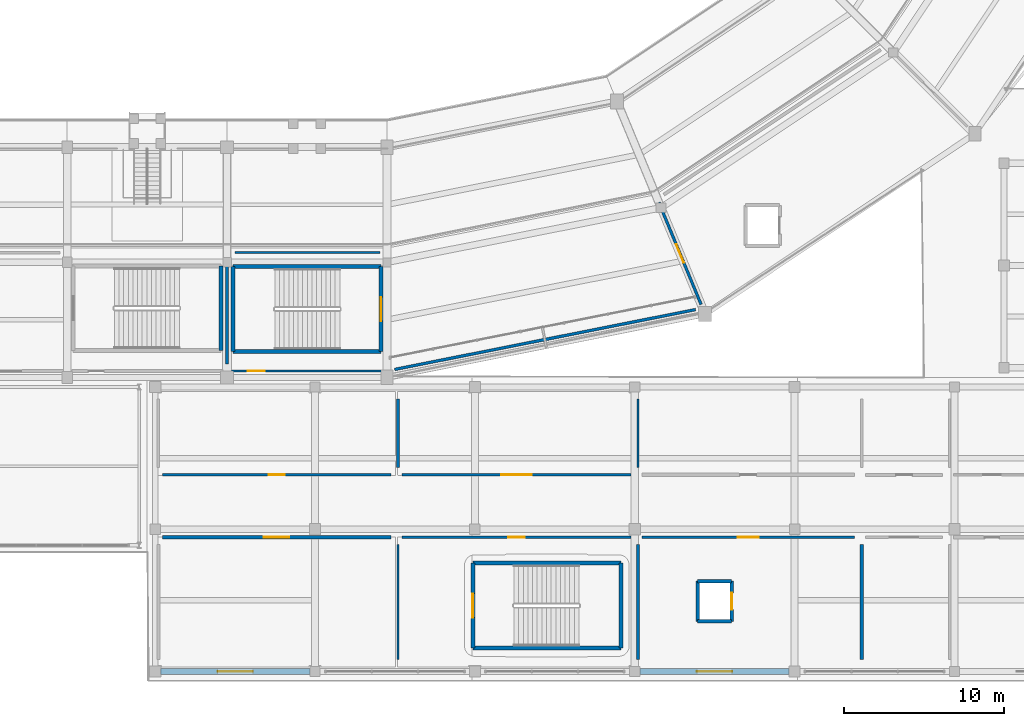
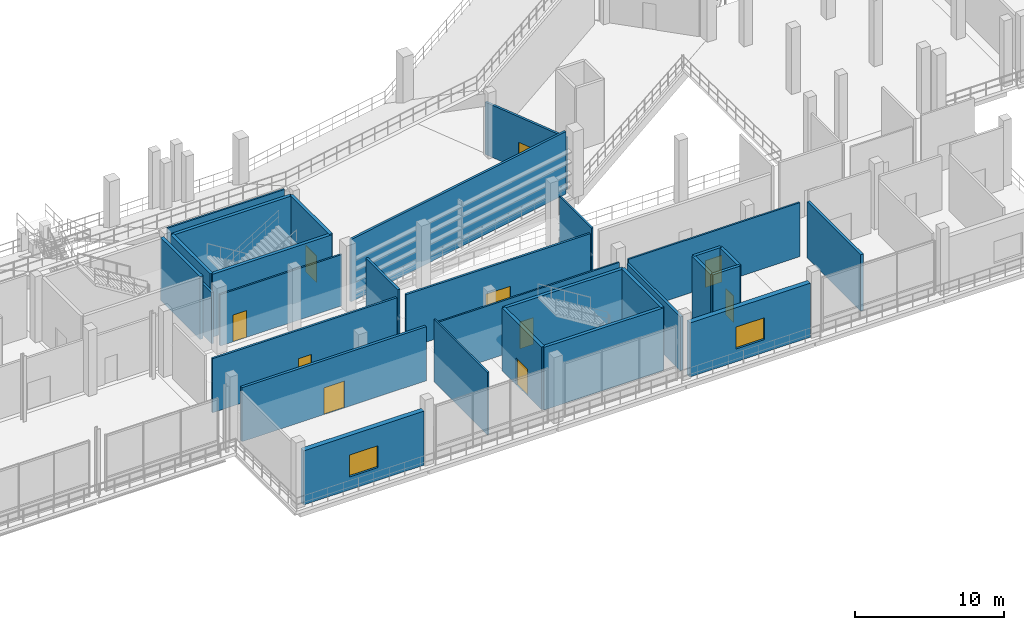
# One storey, part 78 of 127: 30 walls, 10 doors, 2 windows, 12 openings.
"""IFC4 building model written with IfcOpenShell, lengths in metres."""

from ifc_helpers import new_model, si_unit, direction, frame, frame_2d, origin, place, context, subcontext, project, spatial, rectangle, extrude, material, layer, layer_set, type_object, element, fill, save


model = new_model("IFC4")

# Units and contexts
model_context = context("Model", 3, precision=1e-05, world=origin(), true_north=direction((0.0, 1.0)))
body_context = subcontext(model_context, "Body", "Model", "MODEL_VIEW")
ifc_project = project(units=[si_unit("LENGTHUNIT", "METRE"), si_unit("AREAUNIT", "SQUARE_METRE"), si_unit("VOLUMEUNIT", "CUBIC_METRE"), si_unit("PLANEANGLEUNIT", "RADIAN"), si_unit("MASSUNIT", "GRAM", prefix="KILO")], contexts=[model_context])

# Site, building, storey
site_placement = place(None, origin())
site = spatial("IfcSite", under=ifc_project, at=site_placement, CompositionType="ELEMENT")
building_placement = place(site_placement, origin())
building = spatial("IfcBuilding", under=site, at=building_placement, Name="Candeia Ridge Stadium", CompositionType="ELEMENT")
storey_placement = place(building_placement, frame((0.0, 0.0, 10.800048828125)))
storey = spatial("IfcBuildingStorey", under=building, at=storey_placement, Name="L02", CompositionType="ELEMENT", Elevation=10.800048828125)

# Wall, opening, door
ifc_material_1 = material(Name="Gypsum Acoustic Twin-Stud Assembly", Category="gypsum")
ifc_layer_1 = layer(ifc_material_1, 0.159912109375, Name="Gypsum Acoustic Twin-Stud Assembly", Category="gypsum")
ifc_layer_set_1 = layer_set([ifc_layer_1], Name="Gypsum Acoustic Twin-Stud Assembly")
wall_type_1 = type_object("IfcWallType", Name="Club Dining Acoustic Partition 160", PredefinedType="PARTITIONING", material=ifc_layer_set_1)
wall_1_placement = place(storey_placement, frame((141.25, 12.89990234375, 0.0), z_axis=(0.0, 0.0, 1.0), x_axis=(-1.0, 0.0, 0.0)))
wall_1 = element("IfcWall", 1, at=wall_1_placement, inside=storey, type_object=wall_type_1, Name="Interior partition PT-L02-0397", PredefinedType="PARTITIONING", context=body_context, shape_type="SweptSolid", body=[
    extrude(rectangle(XDim=14.300048828125, YDim=0.159912109375, at=frame_2d((7.14990234375, 0.0))), origin(), (0.0, 0.0, 1.0), 4.43505859375),
])
opening_1_placement = place(wall_1_placement, frame((6.64990234375, 0.0, 0.0)))
opening_1 = element("IfcOpeningElement", 2, at=opening_1_placement, cuts=wall_1, Name="Opening ID06", PredefinedType="OPENING", context=body_context, shape_type="SweptSolid", body=[
    extrude(rectangle(XDim=1.0, YDim=2.10009765625, at=frame_2d((0.5, 1.050048828125))), frame((0.0, 0.08984375, 0.0), z_axis=(0.0, -1.0, 0.0), x_axis=(1.0, 0.0, 0.0)), (0.0, 0.0, 1.0), 0.179931640625),
])
ifc_material_2 = material(Name="Moisture-Resistant Laminate", Category="wood")
door_type_1 = type_object("IfcDoorType", Name="Accessible Sanitary Door 1000x2100", OperationType="NOTDEFINED", PredefinedType="DOOR", material=ifc_material_2)
door_1_placement = place(opening_1_placement, origin())
door_1 = element("IfcDoor", 3, at=door_1_placement, inside=storey, type_object=door_type_1, Name="Interior room door D-L02-0206", OperationType="SINGLE_SWING_RIGHT", OverallHeight=2.10009765625, OverallWidth=1.0, PredefinedType="DOOR", context=body_context, shape_type="SweptSolid", body=[
    extrude(rectangle(XDim=1.0, YDim=2.10009765625, at=frame_2d((0.5, 1.050048828125))), frame((0.0, 0.02490234375, 0.0), z_axis=(0.0, -1.0, 0.0), x_axis=(1.0, 0.0, 0.0)), (0.0, 0.0, 1.0), 0.050048828125),
])
fill(opening_1, door_1)

# Walls
ifc_material_3 = material(Name="Concrete C40/50", Category="concrete")
ifc_layer_2 = layer(ifc_material_3, 0.25, Name="Concrete C40/50", Category="concrete")
ifc_layer_set_2 = layer_set([ifc_layer_2], Name="Concrete C40/50")
wall_type_2 = type_object("IfcWallType", Name="Core Shear Wall Concrete 250", PredefinedType="SHEAR", material=ifc_layer_set_2)
wall_2_placement = place(storey_placement, frame((140.62451171875, 25.924560546875, 0.0), z_axis=(0.0, 0.0, 1.0), x_axis=(-1.0, 0.0, 0.0)))
element("IfcWall", 4, at=wall_2_placement, inside=storey, type_object=wall_type_2, Name="Core C03 left shear wall L02", PredefinedType="SHEAR", context=body_context, shape_type="SweptSolid", body=[
    extrude(rectangle(XDim=9.2490234375, YDim=0.25, at=frame_2d((4.62451171875, 0.0))), origin(), (0.0, 0.0, 1.0), 5.14990234375),
])
wall_3_placement = place(storey_placement, frame((131.37548828125, 25.924560546875, 0.0), z_axis=(0.0, 0.0, 1.0), x_axis=(0.0, -1.0, 0.0)))
element("IfcWall", 5, at=wall_3_placement, inside=storey, type_object=wall_type_2, Name="Core C03 far shear wall L02", PredefinedType="SHEAR", context=body_context, shape_type="SweptSolid", body=[
    extrude(rectangle(XDim=5.299072265625, YDim=0.25, at=frame_2d((2.6494140625, 0.0))), origin(), (0.0, 0.0, 1.0), 5.14990234375),
])
wall_4_placement = place(storey_placement, frame((131.37548828125, 20.62548828125, 0.0), z_axis=(0.0, 0.0, 1.0), x_axis=(1.0, 0.0, 0.0)))
element("IfcWall", 6, at=wall_4_placement, inside=storey, type_object=wall_type_2, Name="Core C03 right shear wall L02", PredefinedType="SHEAR", context=body_context, shape_type="SweptSolid", body=[
    extrude(rectangle(XDim=9.2490234375, YDim=0.25, at=frame_2d((4.62451171875, 0.0))), origin(), (0.0, 0.0, 1.0), 5.14990234375),
])

# Wall, opening, door
wall_5_placement = place(storey_placement, frame((140.62451171875, 20.62548828125, 0.0), z_axis=(0.0, 0.0, 1.0), x_axis=(0.0, 1.0, 0.0)))
wall_5 = element("IfcWall", 7, at=wall_5_placement, inside=storey, type_object=wall_type_2, Name="Core C03 near shear wall L02", PredefinedType="SHEAR", context=body_context, shape_type="SweptSolid", body=[
    extrude(rectangle(XDim=5.299072265625, YDim=0.25, at=frame_2d((2.6494140625, 0.0))), origin(), (0.0, 0.0, 1.0), 5.14990234375),
])
opening_2_placement = place(wall_5_placement, frame((1.899658203125, 0.0, 0.0)))
opening_2 = element("IfcOpeningElement", 8, at=opening_2_placement, cuts=wall_5, Name="Opening FD01", PredefinedType="OPENING", context=body_context, shape_type="SweptSolid", body=[
    extrude(rectangle(XDim=1.5, YDim=2.199951171875, at=frame_2d((0.75, 1.10009765625))), frame((0.0, 0.135009765625, 0.0), z_axis=(0.0, -1.0, 0.0), x_axis=(1.0, 0.0, 0.0)), (0.0, 0.0, 1.0), 0.27001953125),
])
ifc_material_4 = material(Name="Galvanized Fire-Rated Steel", Category="steel")
door_type_2 = type_object("IfcDoorType", Name="Exit Stair Core Fire Door 1500x2200", OperationType="NOTDEFINED", PredefinedType="DOOR", material=ifc_material_4)
door_2_placement = place(opening_2_placement, origin())
door_2 = element("IfcDoor", 9, at=door_2_placement, inside=storey, type_object=door_type_2, Name="Exit stair fire door SD-ST03-L02", OperationType="DOUBLE_DOOR_SINGLE_SWING", OverallHeight=2.199951171875, OverallWidth=1.5, PredefinedType="DOOR", context=body_context, shape_type="SweptSolid", body=[
    extrude(rectangle(XDim=1.5, YDim=2.199951171875, at=frame_2d((0.75, 1.10009765625))), frame((0.0, 0.02490234375, 0.0), z_axis=(0.0, -1.0, 0.0), x_axis=(1.0, 0.0, 0.0)), (0.0, 0.0, 1.0), 0.050048828125),
])
fill(opening_2, door_2)

# Walls
wall_6_placement = place(storey_placement, frame((130.62451171875, 20.67529296875, 0.0), z_axis=(0.0, 0.0, 1.0), x_axis=(0.0, 1.0, 0.0)))
element("IfcWall", 10, at=wall_6_placement, inside=storey, type_object=wall_type_2, Name="Core C12 far shear wall L02", PredefinedType="SHEAR", context=body_context, shape_type="SweptSolid", body=[
    extrude(rectangle(XDim=5.29931640625, YDim=0.25, at=frame_2d((2.649658203125, 0.0))), origin(), (0.0, 0.0, 1.0), 5.14990234375),
])
wall_7_placement = place(storey_placement, frame((146.37548828125, 2.075439453125, 0.0), z_axis=(0.0, 0.0, 1.0), x_axis=(1.0, 0.0, 0.0)))
element("IfcWall", 11, at=wall_7_placement, inside=storey, type_object=wall_type_2, Name="Core C14 left shear wall L02", PredefinedType="SHEAR", context=body_context, shape_type="SweptSolid", body=[
    extrude(rectangle(XDim=9.2490234375, YDim=0.25, at=frame_2d((4.62451171875, 0.0))), origin(), (0.0, 0.0, 1.0), 5.14990234375),
])
wall_8_placement = place(storey_placement, frame((155.62451171875, 2.075439453125, 0.0), z_axis=(0.0, 0.0, 1.0), x_axis=(0.0, 1.0, 0.0)))
element("IfcWall", 12, at=wall_8_placement, inside=storey, type_object=wall_type_2, Name="Core C14 far shear wall L02", PredefinedType="SHEAR", context=body_context, shape_type="SweptSolid", body=[
    extrude(rectangle(XDim=5.299072265625, YDim=0.25, at=frame_2d((2.6494140625, 0.0))), origin(), (0.0, 0.0, 1.0), 5.14990234375),
])
wall_9_placement = place(storey_placement, frame((155.62451171875, 7.37451171875, 0.0), z_axis=(0.0, 0.0, 1.0), x_axis=(-1.0, 0.0, 0.0)))
element("IfcWall", 13, at=wall_9_placement, inside=storey, type_object=wall_type_2, Name="Core C14 right shear wall L02", PredefinedType="SHEAR", context=body_context, shape_type="SweptSolid", body=[
    extrude(rectangle(XDim=9.2490234375, YDim=0.25, at=frame_2d((4.62451171875, 0.0))), origin(), (0.0, 0.0, 1.0), 5.14990234375),
])

# Wall, opening, door
wall_10_placement = place(storey_placement, frame((146.37548828125, 7.37451171875, 0.0), z_axis=(0.0, 0.0, 1.0), x_axis=(0.0, -1.0, 0.0)))
wall_10 = element("IfcWall", 14, at=wall_10_placement, inside=storey, type_object=wall_type_2, Name="Core C14 near shear wall L02", PredefinedType="SHEAR", context=body_context, shape_type="SweptSolid", body=[
    extrude(rectangle(XDim=5.299072265625, YDim=0.25, at=frame_2d((2.6494140625, 0.0))), origin(), (0.0, 0.0, 1.0), 5.14990234375),
])
opening_3_placement = place(wall_10_placement, frame((1.899658203125, 0.0, 0.0)))
opening_3 = element("IfcOpeningElement", 15, at=opening_3_placement, cuts=wall_10, Name="Opening FD01", PredefinedType="OPENING", context=body_context, shape_type="SweptSolid", body=[
    extrude(rectangle(XDim=1.5, YDim=2.199951171875, at=frame_2d((0.75, 1.10009765625))), frame((0.0, 0.135009765625, 0.0), z_axis=(0.0, -1.0, 0.0), x_axis=(1.0, 0.0, 0.0)), (0.0, 0.0, 1.0), 0.27001953125),
])
door_3_placement = place(opening_3_placement, origin())
door_3 = element("IfcDoor", 16, at=door_3_placement, inside=storey, type_object=door_type_2, Name="Exit stair fire door SD-ST14-L02", OperationType="DOUBLE_DOOR_SINGLE_SWING", OverallHeight=2.199951171875, OverallWidth=1.5, PredefinedType="DOOR", context=body_context, shape_type="SweptSolid", body=[
    extrude(rectangle(XDim=1.5, YDim=2.199951171875, at=frame_2d((0.75, 1.10009765625))), frame((0.0, 0.02490234375, 0.0), z_axis=(0.0, -1.0, 0.0), x_axis=(1.0, 0.0, 0.0)), (0.0, 0.0, 1.0), 0.050048828125),
])
fill(opening_3, door_3)

# Walls
ifc_layer_3 = layer(ifc_material_1, 0.179931640625, Name="Gypsum Acoustic Twin-Stud Assembly", Category="gypsum")
ifc_layer_set_3 = layer_set([ifc_layer_3], Name="Gypsum Acoustic Twin-Stud Assembly")
wall_type_3 = type_object("IfcWallType", Name="Corridor Fire Partition 180", PredefinedType="PARTITIONING", material=ifc_layer_set_3)
wall_11_placement = place(storey_placement, frame((141.699951171875, 13.35009765625, 0.0), z_axis=(0.0, 0.0, 1.0), x_axis=(0.0, 1.0, 0.0)))
element("IfcWall", 17, at=wall_11_placement, inside=storey, type_object=wall_type_3, Name="Demising partition PT-L02-0402", PredefinedType="PARTITIONING", context=body_context, shape_type="SweptSolid", body=[
    extrude(rectangle(XDim=4.2998046875, YDim=0.179931640625, at=frame_2d((2.14990234375, 0.0))), origin(), (0.0, 0.0, 1.0), 4.635009765625),
])
wall_12_placement = place(storey_placement, frame((160.30517578125, 23.239990234375, 0.0), z_axis=(0.0, 0.0, 1.0), x_axis=(-0.98078659802, -0.195083697793, 0.0)))
element("IfcWall", 18, at=wall_12_placement, inside=storey, type_object=wall_type_3, Name="Demising partition PT-L02-0486", PredefinedType="PARTITIONING", context=body_context, shape_type="SweptSolid", body=[
    extrude(rectangle(XDim=19.1923828125, YDim=0.179931640625, at=frame_2d((9.59619140625, 0.0))), origin(), (0.0, 0.0, 1.0), 5.119873046875),
])

# Wall, opening, window
ifc_layer_4 = layer(ifc_material_3, 0.3798828125, Name="Concrete C40/50", Category="concrete")
ifc_layer_set_4 = layer_set([ifc_layer_4], Name="Concrete C40/50")
wall_type_4 = type_object("IfcWallType", Name="Exterior Museum Gallery Wall 380", PredefinedType="SOLIDWALL", material=ifc_layer_set_4)
wall_13_placement = place(storey_placement, frame((126.837890625, 0.60009765625, 0.0), z_axis=(0.0, 0.0, 1.0), x_axis=(1.0, 0.0, 0.0)))
wall_13 = element("IfcWall", 19, at=wall_13_placement, inside=storey, type_object=wall_type_4, Name="Exterior facade wall EW-L02-0179", PredefinedType="SOLIDWALL", context=body_context, shape_type="SweptSolid", body=[
    extrude(rectangle(XDim=9.34912109375, YDim=0.3798828125, at=frame_2d((4.674560546875, 0.0))), origin(), (0.0, 0.0, 1.0), 4.43505859375),
])
opening_4_placement = place(wall_13_placement, frame((3.574462890625, 0.0, 1.050048828125)))
opening_4 = element("IfcOpeningElement", 20, at=opening_4_placement, cuts=wall_13, Name="Opening W07", PredefinedType="OPENING", context=body_context, shape_type="SweptSolid", body=[
    extrude(rectangle(XDim=2.199951171875, YDim=1.800048828125, at=frame_2d((1.10009765625, 0.89990234375))), frame((0.0, 0.199951171875, 0.0), z_axis=(0.0, -1.0, 0.0), x_axis=(1.0, 0.0, 0.0)), (0.0, 0.0, 1.0), 0.39990234375),
])
ifc_material_5 = material(Name="Tempered Solar-Control Double Glazing", Category="glass")
window_type = type_object("IfcWindowType", Name="Museum Gallery Window 2200x1800", PartitioningType="SINGLE_PANEL", PredefinedType="WINDOW", material=ifc_material_5)
window_1_placement = place(opening_4_placement, origin())
window_1 = element("IfcWindow", 21, at=window_1_placement, inside=storey, type_object=window_type, Name="Exterior window WIN-L02-100", OverallHeight=1.800048828125, OverallWidth=2.199951171875, PartitioningType="SINGLE_PANEL", PredefinedType="WINDOW", context=body_context, shape_type="SweptSolid", body=[
    extrude(rectangle(XDim=2.199951171875, YDim=1.800048828125, at=frame_2d((1.10009765625, 0.89990234375))), frame((0.0, 0.030029296875, 0.0), z_axis=(0.0, -1.0, 0.0), x_axis=(1.0, 0.0, 0.0)), (0.0, 0.0, 1.0), 0.06005859375),
])
fill(opening_4, window_1)

wall_14_placement = place(storey_placement, frame((156.81298828125, 0.60009765625, 0.0), z_axis=(0.0, 0.0, 1.0), x_axis=(1.0, 0.0, 0.0)))
wall_14 = element("IfcWall", 22, at=wall_14_placement, inside=storey, type_object=wall_type_4, Name="Exterior facade wall EW-L02-0180", PredefinedType="SOLIDWALL", context=body_context, shape_type="SweptSolid", body=[
    extrude(rectangle(XDim=9.34912109375, YDim=0.3798828125, at=frame_2d((4.674560546875, 0.0))), origin(), (0.0, 0.0, 1.0), 4.43505859375),
])
opening_5_placement = place(wall_14_placement, frame((3.574462890625, 0.0, 1.050048828125)))
opening_5 = element("IfcOpeningElement", 23, at=opening_5_placement, cuts=wall_14, Name="Opening W07", PredefinedType="OPENING", context=body_context, shape_type="SweptSolid", body=[
    extrude(rectangle(XDim=2.199951171875, YDim=1.800048828125, at=frame_2d((1.10009765625, 0.89990234375))), frame((0.0, 0.199951171875, 0.0), z_axis=(0.0, -1.0, 0.0), x_axis=(1.0, 0.0, 0.0)), (0.0, 0.0, 1.0), 0.39990234375),
])
window_2_placement = place(opening_5_placement, origin())
window_2 = element("IfcWindow", 24, at=window_2_placement, inside=storey, type_object=window_type, Name="Exterior window WIN-L02-101", OverallHeight=1.800048828125, OverallWidth=2.199951171875, PartitioningType="SINGLE_PANEL", PredefinedType="WINDOW", context=body_context, shape_type="SweptSolid", body=[
    extrude(rectangle(XDim=2.199951171875, YDim=1.800048828125, at=frame_2d((1.10009765625, 0.89990234375))), frame((0.0, 0.030029296875, 0.0), z_axis=(0.0, -1.0, 0.0), x_axis=(1.0, 0.0, 0.0)), (0.0, 0.0, 1.0), 0.06005859375),
])
fill(opening_5, window_2)

# Wall, opening, door
ifc_material_6 = material(Name="Gypsum Metal-Stud Partition", Category="gypsum")
ifc_layer_5 = layer(ifc_material_6, 0.135009765625, Name="Gypsum Metal-Stud Partition", Category="gypsum")
ifc_layer_set_5 = layer_set([ifc_layer_5], Name="Gypsum Metal-Stud Partition")
wall_type_5 = type_object("IfcWallType", Name="General Room Partition 135", PredefinedType="PARTITIONING", material=ifc_layer_set_5)
wall_15_placement = place(storey_placement, frame((156.949951171875, 9.0, 0.0), z_axis=(0.0, 0.0, 1.0), x_axis=(1.0, 0.0, 0.0)))
wall_15 = element("IfcWall", 25, at=wall_15_placement, inside=storey, type_object=wall_type_5, Name="Interior partition PT-L02-0403", PredefinedType="PARTITIONING", context=body_context, shape_type="SweptSolid", body=[
    extrude(rectangle(XDim=13.300048828125, YDim=0.135009765625, at=frame_2d((6.64990234375, 0.0))), origin(), (0.0, 0.0, 1.0), 4.43505859375),
])
opening_6_placement = place(wall_15_placement, frame((6.0, 0.0, 0.0)))
opening_6 = element("IfcOpeningElement", 26, at=opening_6_placement, cuts=wall_15, Name="Opening ID13", PredefinedType="OPENING", context=body_context, shape_type="SweptSolid", body=[
    extrude(rectangle(XDim=1.300048828125, YDim=2.199951171875, at=frame_2d((0.64990234375, 1.10009765625))), frame((0.0, 0.077392578125, 0.0), z_axis=(0.0, -1.0, 0.0), x_axis=(1.0, 0.0, 0.0)), (0.0, 0.0, 1.0), 0.155029296875),
])
door_type_3 = type_object("IfcDoorType", Name="Medical Clinic Wide Door 1300x2200", OperationType="NOTDEFINED", PredefinedType="DOOR", material=ifc_material_2)
door_4_placement = place(opening_6_placement, frame((1.300048828125, 0.0, 0.0), z_axis=(0.0, 0.0, 1.0), x_axis=(-1.0, 0.0, 0.0)))
door_4 = element("IfcDoor", 27, at=door_4_placement, inside=storey, type_object=door_type_3, Name="Interior room door D-L02-0209", OperationType="SINGLE_SWING_RIGHT", OverallHeight=2.199951171875, OverallWidth=1.300048828125, PredefinedType="DOOR", context=body_context, shape_type="SweptSolid", body=[
    extrude(rectangle(XDim=1.300048828125, YDim=2.199951171875, at=frame_2d((0.64990234375, 1.10009765625))), frame((0.0, 0.02490234375, 0.0), z_axis=(0.0, -1.0, 0.0), x_axis=(1.0, 0.0, 0.0)), (0.0, 0.0, 1.0), 0.050048828125),
])
fill(opening_6, door_4)

# Wall
wall_16_placement = place(storey_placement, frame((156.699951171875, 13.35009765625, 0.0), z_axis=(0.0, 0.0, 1.0), x_axis=(0.0, 1.0, 0.0)))
element("IfcWall", 28, at=wall_16_placement, inside=storey, type_object=wall_type_5, Name="Demising partition PT-L02-0406", PredefinedType="PARTITIONING", context=body_context, shape_type="SweptSolid", body=[
    extrude(rectangle(XDim=4.2998046875, YDim=0.135009765625, at=frame_2d((2.14990234375, 0.0))), origin(), (0.0, 0.0, 1.0), 4.43505859375),
])

# Wall, opening, door
wall_17_placement = place(storey_placement, frame((140.75, 19.39990234375, 0.0), z_axis=(0.0, 0.0, 1.0), x_axis=(-1.0, 0.0, 0.0)))
wall_17 = element("IfcWall", 29, at=wall_17_placement, inside=storey, type_object=wall_type_5, Name="Interior partition PT-L02-0483", PredefinedType="PARTITIONING", context=body_context, shape_type="SweptSolid", body=[
    extrude(rectangle(XDim=9.4599609375, YDim=0.135009765625, at=frame_2d((4.72998046875, 0.0))), origin(), (0.0, 0.0, 1.0), 4.21484375),
])
opening_7_placement = place(wall_17_placement, frame((7.405029296875, 0.0, 0.0)))
opening_7 = element("IfcOpeningElement", 30, at=opening_7_placement, cuts=wall_17, Name="Opening ID01", PredefinedType="OPENING", context=body_context, shape_type="SweptSolid", body=[
    extrude(rectangle(XDim=1.050048828125, YDim=2.199951171875, at=frame_2d((0.52490234375, 1.10009765625))), frame((0.0, 0.077392578125, 0.0), z_axis=(0.0, -1.0, 0.0), x_axis=(1.0, 0.0, 0.0)), (0.0, 0.0, 1.0), 0.155029296875),
])
ifc_material_7 = material(Name="Western Red Cedar Acoustic Veneer", Category="wood")
door_type_4 = type_object("IfcDoorType", Name="Hospitality Suite Entrance Door 1050x2200", OperationType="NOTDEFINED", PredefinedType="DOOR", material=ifc_material_7)
door_5_placement = place(opening_7_placement, origin())
door_5 = element("IfcDoor", 31, at=door_5_placement, inside=storey, type_object=door_type_4, Name="Interior room door D-L02-0249", OperationType="SINGLE_SWING_LEFT", OverallHeight=2.199951171875, OverallWidth=1.050048828125, PredefinedType="DOOR", context=body_context, shape_type="SweptSolid", body=[
    extrude(rectangle(XDim=1.050048828125, YDim=2.199951171875, at=frame_2d((0.52490234375, 1.10009765625))), frame((0.0, 0.02490234375, 0.0), z_axis=(0.0, -1.0, 0.0), x_axis=(1.0, 0.0, 0.0)), (0.0, 0.0, 1.0), 0.050048828125),
])
fill(opening_7, door_5)

ifc_layer_6 = layer(ifc_material_1, 0.1650390625, Name="Gypsum Acoustic Twin-Stud Assembly", Category="gypsum")
ifc_layer_set_6 = layer_set([ifc_layer_6], Name="Gypsum Acoustic Twin-Stud Assembly")
wall_type_6 = type_object("IfcWallType", Name="Hospitality Suite Acoustic Wall 165", PredefinedType="PARTITIONING", material=ifc_layer_set_6)
wall_18_placement = place(storey_placement, frame((156.25, 12.89990234375, 0.0), z_axis=(0.0, 0.0, 1.0), x_axis=(-1.0, 0.0, 0.0)))
wall_18 = element("IfcWall", 32, at=wall_18_placement, inside=storey, type_object=wall_type_6, Name="Interior partition PT-L02-0401", PredefinedType="PARTITIONING", context=body_context, shape_type="SweptSolid", body=[
    extrude(rectangle(XDim=14.300048828125, YDim=0.1650390625, at=frame_2d((7.14990234375, 0.0))), origin(), (0.0, 0.0, 1.0), 4.43505859375),
])
opening_8_placement = place(wall_18_placement, frame((6.199951171875, 0.0, 0.0)))
opening_8 = element("IfcOpeningElement", 33, at=opening_8_placement, cuts=wall_18, Name="Opening ID10", PredefinedType="OPENING", context=body_context, shape_type="SweptSolid", body=[
    extrude(rectangle(XDim=1.89990234375, YDim=2.300048828125, at=frame_2d((0.949951171875, 1.14990234375))), frame((0.0, 0.092529296875, 0.0), z_axis=(0.0, -1.0, 0.0), x_axis=(1.0, 0.0, 0.0)), (0.0, 0.0, 1.0), 0.18505859375),
])
ifc_material_8 = material(Name="Timber Fire-Rated Acoustic", Category="wood")
door_type_5 = type_object("IfcDoorType", Name="Museum Exhibition Double Door 1900x2300", OperationType="NOTDEFINED", PredefinedType="DOOR", material=ifc_material_8)
door_6_placement = place(opening_8_placement, origin())
door_6 = element("IfcDoor", 34, at=door_6_placement, inside=storey, type_object=door_type_5, Name="Interior room door D-L02-0208", OperationType="DOUBLE_DOOR_SINGLE_SWING", OverallHeight=2.300048828125, OverallWidth=1.89990234375, PredefinedType="DOOR", context=body_context, shape_type="SweptSolid", body=[
    extrude(rectangle(XDim=1.89990234375, YDim=2.300048828125, at=frame_2d((0.949951171875, 1.14990234375))), frame((0.0, 0.02490234375, 0.0), z_axis=(0.0, -1.0, 0.0), x_axis=(1.0, 0.0, 0.0)), (0.0, 0.0, 1.0), 0.050048828125),
])
fill(opening_8, door_6)

# Wall
ifc_layer_7 = layer(ifc_material_3, 0.219970703125, Name="Concrete C40/50", Category="concrete")
ifc_layer_set_7 = layer_set([ifc_layer_7], Name="Concrete C40/50")
wall_type_7 = type_object("IfcWallType", Name="Lift & Riser Shaft Wall 220", PredefinedType="SHEAR", material=ifc_layer_set_7)
wall_19_placement = place(storey_placement, frame((160.43994140625, 3.739990234375, 0.0), z_axis=(0.0, 0.0, 1.0), x_axis=(1.0, 0.0, 0.0)))
element("IfcWall", 35, at=wall_19_placement, inside=storey, type_object=wall_type_7, Name="Lift PL6 shaft wall L02 south", PredefinedType="SHEAR", context=body_context, shape_type="SweptSolid", body=[
    extrude(rectangle(XDim=2.1201171875, YDim=0.219970703125, at=frame_2d((1.06005859375, 0.0))), origin(), (0.0, 0.0, 1.0), 5.14990234375),
])

# Wall, opening, door
wall_20_placement = place(storey_placement, frame((162.56005859375, 3.739990234375, 0.0), z_axis=(0.0, 0.0, 1.0), x_axis=(0.0, 1.0, 0.0)))
wall_20 = element("IfcWall", 36, at=wall_20_placement, inside=storey, type_object=wall_type_7, Name="Lift PL6 shaft wall L02 east", PredefinedType="SHEAR", context=body_context, shape_type="SweptSolid", body=[
    extrude(rectangle(XDim=2.52001953125, YDim=0.219970703125, at=frame_2d((1.260009765625, 0.0))), origin(), (0.0, 0.0, 1.0), 5.14990234375),
])
opening_9_placement = place(wall_20_placement, frame((0.735107421875, 0.0, 0.0)))
opening_9 = element("IfcOpeningElement", 37, at=opening_9_placement, cuts=wall_20, Name="Opening LD02", PredefinedType="OPENING", context=body_context, shape_type="SweptSolid", body=[
    extrude(rectangle(XDim=1.050048828125, YDim=2.14990234375, at=frame_2d((0.52490234375, 1.074951171875))), frame((0.0, 0.119873046875, 0.0), z_axis=(0.0, -1.0, 0.0), x_axis=(1.0, 0.0, 0.0)), (0.0, 0.0, 1.0), 0.239990234375),
])
ifc_material_9 = material(Name="Brushed Stainless Steel", Category="steel")
door_type_6 = type_object("IfcDoorType", Name="Passenger Lift Landing Door 1050x2150", OperationType="NOTDEFINED", PredefinedType="DOOR", material=ifc_material_9)
door_7_placement = place(opening_9_placement, origin())
door_7 = element("IfcDoor", 38, at=door_7_placement, inside=storey, type_object=door_type_6, Name="Lift landing sliding door LD-PL6-L02", OperationType="DOUBLE_DOOR_SLIDING", OverallHeight=2.14990234375, OverallWidth=1.050048828125, PredefinedType="DOOR", context=body_context, shape_type="SweptSolid", body=[
    extrude(rectangle(XDim=1.050048828125, YDim=2.14990234375, at=frame_2d((0.52490234375, 1.074951171875))), frame((0.0, 0.02490234375, 0.0), z_axis=(0.0, -1.0, 0.0), x_axis=(1.0, 0.0, 0.0)), (0.0, 0.0, 1.0), 0.050048828125),
])
fill(opening_9, door_7)

# Walls
wall_21_placement = place(storey_placement, frame((162.56005859375, 6.260009765625, 0.0), z_axis=(0.0, 0.0, 1.0), x_axis=(-1.0, 0.0, 0.0)))
element("IfcWall", 39, at=wall_21_placement, inside=storey, type_object=wall_type_7, Name="Lift PL6 shaft wall L02 north", PredefinedType="SHEAR", context=body_context, shape_type="SweptSolid", body=[
    extrude(rectangle(XDim=2.1201171875, YDim=0.219970703125, at=frame_2d((1.06005859375, 0.0))), origin(), (0.0, 0.0, 1.0), 5.14990234375),
])
wall_22_placement = place(storey_placement, frame((160.43994140625, 6.260009765625, 0.0), z_axis=(0.0, 0.0, 1.0), x_axis=(0.0, -1.0, 0.0)))
element("IfcWall", 40, at=wall_22_placement, inside=storey, type_object=wall_type_7, Name="Lift PL6 shaft wall L02 west", PredefinedType="SHEAR", context=body_context, shape_type="SweptSolid", body=[
    extrude(rectangle(XDim=2.52001953125, YDim=0.219970703125, at=frame_2d((1.260009765625, 0.0))), origin(), (0.0, 0.0, 1.0), 5.14990234375),
])
ifc_material_10 = material(Name="Gypsum Acoustic Triple-Board Wall", Category="gypsum")
ifc_layer_8 = layer(ifc_material_10, 0.18994140625, Name="Gypsum Acoustic Triple-Board Wall", Category="gypsum")
ifc_layer_set_8 = layer_set([ifc_layer_8], Name="Gypsum Acoustic Triple-Board Wall")
wall_type_8 = type_object("IfcWallType", Name="Media & Commentary Studio Wall 190", PredefinedType="PARTITIONING", material=ifc_layer_set_8)
wall_23_placement = place(storey_placement, frame((156.699951171875, 1.35009765625, 0.0), z_axis=(0.0, 0.0, 1.0), x_axis=(0.0, 1.0, 0.0)))
element("IfcWall", 41, at=wall_23_placement, inside=storey, type_object=wall_type_8, Name="Demising partition PT-L02-0404", PredefinedType="PARTITIONING", context=body_context, shape_type="SweptSolid", body=[
    extrude(rectangle(XDim=7.199951171875, YDim=0.18994140625, at=frame_2d((3.60009765625, 0.0))), origin(), (0.0, 0.0, 1.0), 4.43505859375),
])

# Wall, opening, door
ifc_layer_9 = layer(ifc_material_1, 0.175048828125, Name="Gypsum Acoustic Twin-Stud Assembly", Category="gypsum")
ifc_layer_set_9 = layer_set([ifc_layer_9], Name="Gypsum Acoustic Twin-Stud Assembly")
wall_type_9 = type_object("IfcWallType", Name="Museum Acoustic Gallery Wall 175", PredefinedType="PARTITIONING", material=ifc_layer_set_9)
wall_24_placement = place(storey_placement, frame((158.01025390625, 29.93359375, 0.0), z_axis=(0.0, 0.0, 1.0), x_axis=(0.38269761686, -0.923873656974, 0.0)))
wall_24 = element("IfcWall", 42, at=wall_24_placement, inside=storey, type_object=wall_type_9, Name="Interior partition PT-L02-0485", PredefinedType="PARTITIONING", context=body_context, shape_type="SweptSolid", body=[
    extrude(rectangle(XDim=6.900146484375, YDim=0.175048828125, at=frame_2d((3.4501953125, 0.0))), origin(), (0.0, 0.0, 1.0), 4.284912109375),
])
opening_10_placement = place(wall_24_placement, frame((2.824951171875, 0.0, 0.0)))
opening_10 = element("IfcOpeningElement", 43, at=opening_10_placement, cuts=wall_24, Name="Opening ID11", PredefinedType="OPENING", context=body_context, shape_type="SweptSolid", body=[
    extrude(rectangle(XDim=1.25, YDim=2.199951171875, at=frame_2d((0.625, 1.10009765625))), frame((0.0, 0.097412109375, 0.0), z_axis=(0.0, -1.0, 0.0), x_axis=(1.0, 0.0, 0.0)), (0.0, 0.0, 1.0), 0.195068359375),
])
ifc_material_11 = material(Name="Acoustic Timber Studio Leaf", Category="wood")
door_type_7 = type_object("IfcDoorType", Name="Press Tribune Acoustic Door 1250x2200", OperationType="NOTDEFINED", PredefinedType="DOOR", material=ifc_material_11)
door_8_placement = place(opening_10_placement, origin())
door_8 = element("IfcDoor", 44, at=door_8_placement, inside=storey, type_object=door_type_7, Name="Interior room door D-L02-0250", OperationType="SINGLE_SWING_RIGHT", OverallHeight=2.199951171875, OverallWidth=1.25, PredefinedType="DOOR", context=body_context, shape_type="SweptSolid", body=[
    extrude(rectangle(XDim=1.25, YDim=2.199951171875, at=frame_2d((0.625, 1.10009765625))), frame((0.0, 0.02490234375, 0.0), z_axis=(0.0, -1.0, 0.0), x_axis=(1.0, 0.0, 0.0)), (0.0, 0.0, 1.0), 0.050048828125),
])
fill(opening_10, door_8)

ifc_material_12 = material(Name="Moisture-Resistant Masonry & Tile", Category="masonry")
ifc_layer_10 = layer(ifc_material_12, 0.2099609375, Name="Moisture-Resistant Masonry & Tile", Category="masonry")
ifc_layer_set_10 = layer_set([ifc_layer_10], Name="Moisture-Resistant Masonry & Tile")
wall_type_10 = type_object("IfcWallType", Name="Sanitary Wet-Wall Plumbing Chase 210", PredefinedType="PLUMBINGWALL", material=ifc_layer_set_10)
wall_25_placement = place(storey_placement, frame((126.949951171875, 9.0, 0.0), z_axis=(0.0, 0.0, 1.0), x_axis=(1.0, 0.0, 0.0)))
wall_25 = element("IfcWall", 45, at=wall_25_placement, inside=storey, type_object=wall_type_10, Name="Interior partition PT-L02-0395", PredefinedType="PLUMBINGWALL", context=body_context, shape_type="SweptSolid", body=[
    extrude(rectangle(XDim=14.300048828125, YDim=0.2099609375, at=frame_2d((7.14990234375, 0.0))), origin(), (0.0, 0.0, 1.0), 4.43505859375),
])
opening_11_placement = place(wall_25_placement, frame((6.35009765625, 0.0, 0.0)))
opening_11 = element("IfcOpeningElement", 46, at=opening_11_placement, cuts=wall_25, Name="Opening ID03", PredefinedType="OPENING", context=body_context, shape_type="SweptSolid", body=[
    extrude(rectangle(XDim=1.60009765625, YDim=2.199951171875, at=frame_2d((0.800048828125, 1.10009765625))), frame((0.0, 0.114990234375, 0.0), z_axis=(0.0, -1.0, 0.0), x_axis=(1.0, 0.0, 0.0)), (0.0, 0.0, 1.0), 0.22998046875),
])
ifc_material_13 = material(Name="Solid Core Hardwood Veneer", Category="wood")
door_type_8 = type_object("IfcDoorType", Name="Athlete Dressing Double Door 1600x2200", OperationType="NOTDEFINED", PredefinedType="DOOR", material=ifc_material_13)
door_9_placement = place(opening_11_placement, origin())
door_9 = element("IfcDoor", 47, at=door_9_placement, inside=storey, type_object=door_type_8, Name="Interior room door D-L02-0205", OperationType="DOUBLE_DOOR_SINGLE_SWING", OverallHeight=2.199951171875, OverallWidth=1.60009765625, PredefinedType="DOOR", context=body_context, shape_type="SweptSolid", body=[
    extrude(rectangle(XDim=1.60009765625, YDim=2.199951171875, at=frame_2d((0.800048828125, 1.10009765625))), frame((0.0, 0.02490234375, 0.0), z_axis=(0.0, -1.0, 0.0), x_axis=(1.0, 0.0, 0.0)), (0.0, 0.0, 1.0), 0.050048828125),
])
fill(opening_11, door_9)

# Walls
wall_26_placement = place(storey_placement, frame((170.699951171875, 1.35009765625, 0.0), z_axis=(0.0, 0.0, 1.0), x_axis=(0.0, 1.0, 0.0)))
element("IfcWall", 48, at=wall_26_placement, inside=storey, type_object=wall_type_10, Name="Demising partition PT-L02-0408", PredefinedType="PLUMBINGWALL", context=body_context, shape_type="SweptSolid", body=[
    extrude(rectangle(XDim=7.199951171875, YDim=0.2099609375, at=frame_2d((3.60009765625, 0.0))), origin(), (0.0, 0.0, 1.0), 4.635009765625),
])
ifc_layer_11 = layer(ifc_material_1, 0.169921875, Name="Gypsum Acoustic Twin-Stud Assembly", Category="gypsum")
ifc_layer_set_11 = layer_set([ifc_layer_11], Name="Gypsum Acoustic Twin-Stud Assembly")
wall_type_11 = type_object("IfcWallType", Name="Skybox Demising Acoustic Wall 170", PredefinedType="PARTITIONING", material=ifc_layer_set_11)
wall_27_placement = place(storey_placement, frame((131.0, 26.35009765625, 0.0), z_axis=(0.0, 0.0, 1.0), x_axis=(0.0, -1.0, 0.0)))
element("IfcWall", 49, at=wall_27_placement, inside=storey, type_object=wall_type_11, Name="Demising partition PT-L02-0482", PredefinedType="PARTITIONING", context=body_context, shape_type="SweptSolid", body=[
    extrude(rectangle(XDim=6.5, YDim=0.169921875, at=frame_2d((3.25, 0.0))), origin(), (0.0, 0.0, 1.0), 4.21484375),
])

# Wall, opening, door
ifc_layer_12 = layer(ifc_material_6, 0.1298828125, Name="Gypsum Metal-Stud Partition", Category="gypsum")
ifc_layer_set_12 = layer_set([ifc_layer_12], Name="Gypsum Metal-Stud Partition")
wall_type_12 = type_object("IfcWallType", Name="Ticketing Back-Office Partition 130", PredefinedType="PARTITIONING", material=ifc_layer_set_12)
wall_28_placement = place(storey_placement, frame((141.949951171875, 9.0, 0.0), z_axis=(0.0, 0.0, 1.0), x_axis=(1.0, 0.0, 0.0)))
wall_28 = element("IfcWall", 50, at=wall_28_placement, inside=storey, type_object=wall_type_12, Name="Interior partition PT-L02-0399", PredefinedType="PARTITIONING", context=body_context, shape_type="SweptSolid", body=[
    extrude(rectangle(XDim=14.300048828125, YDim=0.1298828125, at=frame_2d((7.14990234375, 0.0))), origin(), (0.0, 0.0, 1.0), 4.43505859375),
])
opening_12_placement = place(wall_28_placement, frame((6.625, 0.0, 0.0)))
opening_12 = element("IfcOpeningElement", 51, at=opening_12_placement, cuts=wall_28, Name="Opening ID01", PredefinedType="OPENING", context=body_context, shape_type="SweptSolid", body=[
    extrude(rectangle(XDim=1.050048828125, YDim=2.199951171875, at=frame_2d((0.52490234375, 1.10009765625))), frame((0.0, 0.074951171875, 0.0), z_axis=(0.0, -1.0, 0.0), x_axis=(1.0, 0.0, 0.0)), (0.0, 0.0, 1.0), 0.14990234375),
])
door_10_placement = place(opening_12_placement, frame((1.050048828125, 0.0, 0.0), z_axis=(0.0, 0.0, 1.0), x_axis=(-1.0, 0.0, 0.0)))
door_10 = element("IfcDoor", 52, at=door_10_placement, inside=storey, type_object=door_type_4, Name="Interior room door D-L02-0207", OperationType="SINGLE_SWING_LEFT", OverallHeight=2.199951171875, OverallWidth=1.050048828125, PredefinedType="DOOR", context=body_context, shape_type="SweptSolid", body=[
    extrude(rectangle(XDim=1.050048828125, YDim=2.199951171875, at=frame_2d((0.52490234375, 1.10009765625))), frame((0.0, 0.02490234375, 0.0), z_axis=(0.0, -1.0, 0.0), x_axis=(1.0, 0.0, 0.0)), (0.0, 0.0, 1.0), 0.050048828125),
])
fill(opening_12, door_10)

# Walls
wall_29_placement = place(storey_placement, frame((141.699951171875, 1.35009765625, 0.0), z_axis=(0.0, 0.0, 1.0), x_axis=(0.0, 1.0, 0.0)))
element("IfcWall", 53, at=wall_29_placement, inside=storey, type_object=wall_type_12, Name="Demising partition PT-L02-0400", PredefinedType="PARTITIONING", context=body_context, shape_type="SweptSolid", body=[
    extrude(rectangle(XDim=7.199951171875, YDim=0.1298828125, at=frame_2d((3.60009765625, 0.0))), origin(), (0.0, 0.0, 1.0), 5.119873046875),
])
wall_30_placement = place(storey_placement, frame((131.489990234375, 26.800048828125, 0.0), z_axis=(0.0, 0.0, 1.0), x_axis=(1.0, 0.0, 0.0)))
element("IfcWall", 54, at=wall_30_placement, inside=storey, type_object=wall_type_12, Name="Demising partition PT-L02-0484", PredefinedType="PARTITIONING", context=body_context, shape_type="SweptSolid", body=[
    extrude(rectangle(XDim=9.06005859375, YDim=0.1298828125, at=frame_2d((4.530029296875, 0.0))), origin(), (0.0, 0.0, 1.0), 5.119873046875),
])

save(model, "model.ifc")
